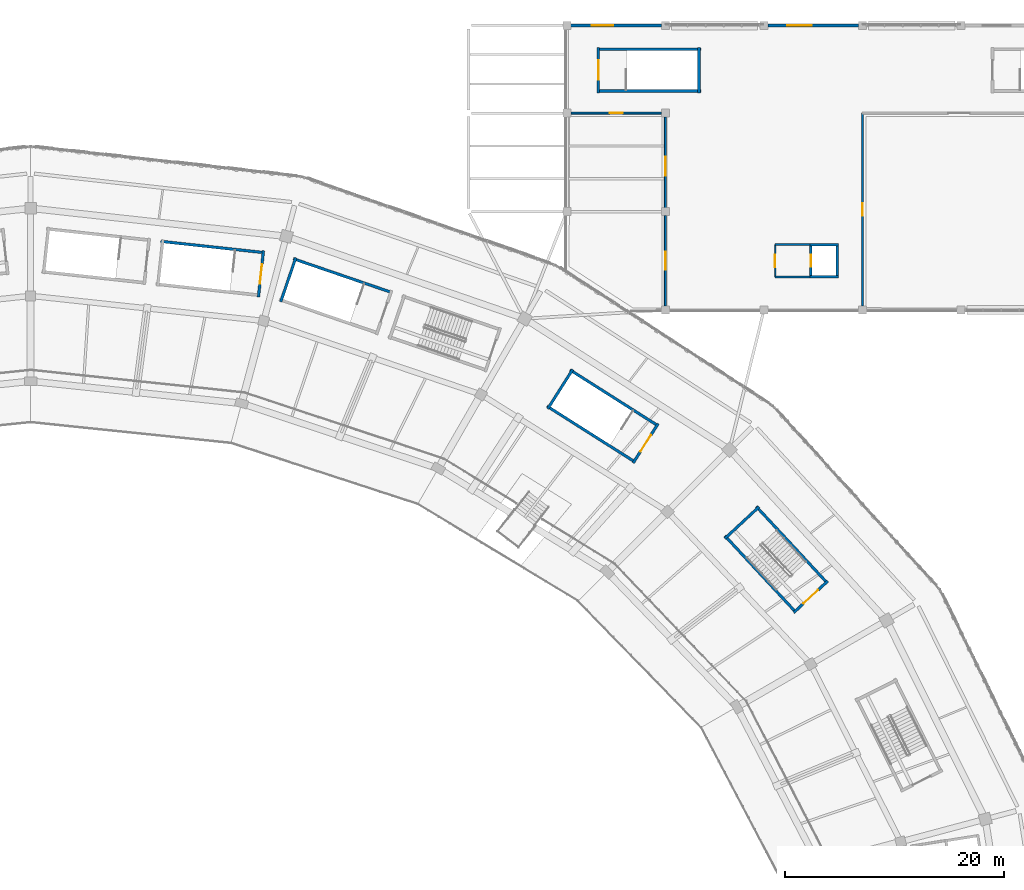
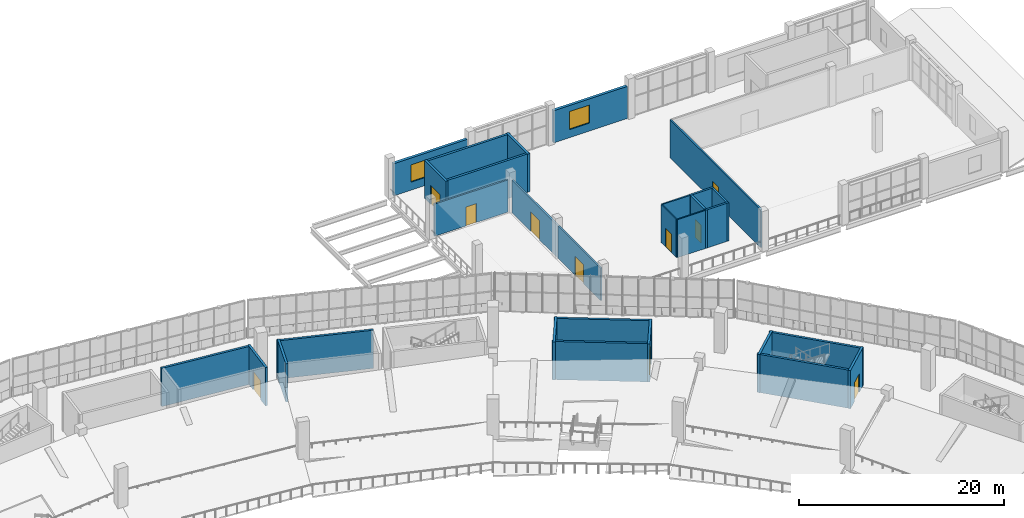
# One storey, part 101 of 152: 29 walls, 10 doors, 2 windows, 12 openings.
"""IFC4 building model written with IfcOpenShell, lengths in metres."""

from ifc_helpers import new_model, si_unit, direction, frame, frame_2d, origin, place, context, subcontext, project, spatial, rectangle, extrude, material, layer, layer_set, type_object, element, fill, save


model = new_model("IFC4")

# Units and contexts
model_context = context("Model", 3, precision=1e-05, world=origin(), true_north=direction((0.0, 1.0)))
body_context = subcontext(model_context, "Body", "Model", "MODEL_VIEW")
ifc_project = project(units=[si_unit("LENGTHUNIT", "METRE"), si_unit("AREAUNIT", "SQUARE_METRE"), si_unit("VOLUMEUNIT", "CUBIC_METRE"), si_unit("PLANEANGLEUNIT", "RADIAN"), si_unit("MASSUNIT", "GRAM", prefix="KILO")], contexts=[model_context])

# Site, building, storey
site_placement = place(None, origin())
site = spatial("IfcSite", under=ifc_project, at=site_placement, CompositionType="ELEMENT")
building_placement = place(site_placement, origin())
building = spatial("IfcBuilding", under=site, at=building_placement, Name="Zevraka Park Crest Stadium", CompositionType="ELEMENT")
storey_placement = place(building_placement, frame((0.0, 0.0, 15.0)))
storey = spatial("IfcBuildingStorey", under=building, at=storey_placement, Name="L03", CompositionType="ELEMENT", Elevation=15.0)

# Wall, opening, window
ifc_material_1 = material(Name="Limestone and red clay brick masonry", Category="masonry")
ifc_layer_1 = layer(ifc_material_1, 0.300048828125)
ifc_layer_set_1 = layer_set([ifc_layer_1], Name="Limestone and red clay brick masonry")
wall_type_1 = type_object("IfcWallType", Name="EW02", PredefinedType="STANDARD", material=ifc_layer_set_1)
wall_1_placement = place(storey_placement, frame((161.35009765625, 184.0, 0.0), z_axis=(0.0, 0.0, 1.0), x_axis=(1.0, 0.0, 0.0)))
wall_1 = element("IfcWall", 1, at=wall_1_placement, inside=storey, type_object=wall_type_1, Name="Wing External Cavity Wall EW02 L03-NGATE-N3-1", PredefinedType="STANDARD", context=body_context, shape_type="SweptSolid", body=[
    extrude(rectangle(XDim=8.2998046875, YDim=0.300048828125, at=frame_2d((4.14990234375, 0.0))), origin(), (0.0, 0.0, 1.0), 3.823486328125),
])
opening_1_placement = place(wall_1_placement, frame((1.929931640625, 0.0, 0.949951171875)))
opening_1 = element("IfcOpeningElement", 2, at=opening_1_placement, cuts=wall_1, Name="Opening WN10", PredefinedType="OPENING", context=body_context, shape_type="SweptSolid", body=[
    extrude(rectangle(XDim=1.949951171875, YDim=2.050048828125, at=frame_2d((0.97509765625, 1.02490234375))), frame((0.0, 0.159912109375, 0.0), z_axis=(0.0, -1.0, 0.0), x_axis=(1.0, 0.0, 0.0)), (0.0, 0.0, 1.0), 0.320068359375),
])
ifc_material_2 = material(Name="Solar-control laminated double glazing in aluminium frame", Category="aluminium")
window_type_1 = type_object("IfcWindowType", Name="WN10", PartitioningType="SINGLE_PANEL", PredefinedType="WINDOW", material=ifc_material_2)
window_1_placement = place(opening_1_placement, origin())
window_1 = element("IfcWindow", 3, at=window_1_placement, inside=storey, type_object=window_type_1, Name="Facade Casement Window WN10 W-L03-010", OverallHeight=2.050048828125, OverallWidth=1.949951171875, PartitioningType="SINGLE_PANEL", PredefinedType="WINDOW", context=body_context, shape_type="SweptSolid", body=[
    extrude(rectangle(XDim=1.949951171875, YDim=2.050048828125, at=frame_2d((0.97509765625, 1.02490234375))), frame((0.0, 0.030029296875, 0.0), z_axis=(0.0, -1.0, 0.0), x_axis=(1.0, 0.0, 0.0)), (0.0, 0.0, 1.0), 0.06005859375),
])
fill(opening_1, window_1)

wall_2_placement = place(storey_placement, frame((179.35009765625, 184.0, 0.0), z_axis=(0.0, 0.0, 1.0), x_axis=(1.0, 0.0, 0.0)))
wall_2 = element("IfcWall", 4, at=wall_2_placement, inside=storey, type_object=wall_type_1, Name="Wing External Cavity Wall EW02 L03-NGATE-N3-3", PredefinedType="STANDARD", context=body_context, shape_type="SweptSolid", body=[
    extrude(rectangle(XDim=8.2998046875, YDim=0.300048828125, at=frame_2d((4.14990234375, 0.0))), origin(), (0.0, 0.0, 1.0), 3.823486328125),
])
opening_2_placement = place(wall_2_placement, frame((1.780029296875, 0.0, 0.949951171875)))
opening_2 = element("IfcOpeningElement", 5, at=opening_2_placement, cuts=wall_2, Name="Opening WN11", PredefinedType="OPENING", context=body_context, shape_type="SweptSolid", body=[
    extrude(rectangle(XDim=2.25, YDim=2.14990234375, at=frame_2d((1.125, 1.074951171875))), frame((0.0, 0.159912109375, 0.0), z_axis=(0.0, -1.0, 0.0), x_axis=(1.0, 0.0, 0.0)), (0.0, 0.0, 1.0), 0.320068359375),
])
ifc_material_3 = material(Name="Solar-control laminated double glazing in aluminium frame", Category="aluminium")
window_type_2 = type_object("IfcWindowType", Name="WN11", PartitioningType="SINGLE_PANEL", PredefinedType="WINDOW", material=ifc_material_3)
window_2_placement = place(opening_2_placement, origin())
window_2 = element("IfcWindow", 6, at=window_2_placement, inside=storey, type_object=window_type_2, Name="Facade Casement Window WN11 W-L03-011", OverallHeight=2.14990234375, OverallWidth=2.25, PartitioningType="SINGLE_PANEL", PredefinedType="WINDOW", context=body_context, shape_type="SweptSolid", body=[
    extrude(rectangle(XDim=2.25, YDim=2.14990234375, at=frame_2d((1.125, 1.074951171875))), frame((0.0, 0.030029296875, 0.0), z_axis=(0.0, -1.0, 0.0), x_axis=(1.0, 0.0, 0.0)), (0.0, 0.0, 1.0), 0.06005859375),
])
fill(opening_2, window_2)

# Walls
ifc_material_4 = material(Name="Fire-rated twin-stud acoustic drywall", Category="other")
ifc_layer_2 = layer(ifc_material_4, 0.159912109375)
ifc_layer_set_2 = layer_set([ifc_layer_2], Name="Fire-rated twin-stud acoustic drywall")
wall_type_2 = type_object("IfcWallType", Name="IW02", PredefinedType="PARTITIONING", material=ifc_layer_set_2)
for number, where, z_axis, x_axis, name in (
    (7, (183.199951171875, 163.989990234375, 0.0), (0.0, 0.0, 1.0), (-1.0, 0.0, 0.0), "Passenger Lift Lobby Wall IW02 PL04 L03 LEFT"),
    (8, (183.199951171875, 161.010009765625, 0.0), (0.0, 0.0, 1.0), (-1.0, 0.0, 0.0), "Passenger Lift Lobby Wall IW02 PL04 L03 RIGHT"),
):
    element("IfcWall", number, at=place(storey_placement, frame(where, z_axis=z_axis, x_axis=x_axis)), inside=storey, type_object=wall_type_2, Name=name, PredefinedType="PARTITIONING", context=body_context, shape_type="SweptSolid", body=[
        extrude(rectangle(XDim=3.169921875, YDim=0.159912109375, at=frame_2d((1.5849609375, 0.0))), origin(), (0.0, 0.0, 1.0), 4.52001953125),
    ])

# Wall, opening, door
wall_3_placement = place(storey_placement, frame((180.030029296875, 163.989990234375, 0.0), z_axis=(0.0, 0.0, 1.0), x_axis=(0.0, -1.0, 0.0)))
wall_3 = element("IfcWall", 9, at=wall_3_placement, inside=storey, type_object=wall_type_2, Name="Passenger Lift Lobby Wall IW02 PL04 L03 FRONT", PredefinedType="PARTITIONING", context=body_context, shape_type="SweptSolid", body=[
    extrude(rectangle(XDim=2.97998046875, YDim=0.159912109375, at=frame_2d((1.489990234375, 0.0))), origin(), (0.0, 0.0, 1.0), 4.52001953125),
])
opening_3_placement = place(wall_3_placement, frame((0.9150390625, 0.0, 0.0)))
opening_3 = element("IfcOpeningElement", 10, at=opening_3_placement, cuts=wall_3, Name="Opening D-L03-328", PredefinedType="OPENING", context=body_context, shape_type="SweptSolid", body=[
    extrude(rectangle(XDim=1.14990234375, YDim=2.199951171875, at=frame_2d((0.574951171875, 1.10009765625))), frame((0.0, 0.08984375, 0.0), z_axis=(0.0, -1.0, 0.0), x_axis=(1.0, 0.0, 0.0)), (0.0, 0.0, 1.0), 0.179931640625),
])
ifc_material_5 = material(Name="Solid-core hardwood timber leaf in steel frame", Category="steel")
door_type_1 = type_object("IfcDoorType", Name="DR03", OperationType="NOTDEFINED", PredefinedType="DOOR", material=ifc_material_5)
door_1_placement = place(opening_3_placement, origin())
door_1 = element("IfcDoor", 11, at=door_1_placement, inside=storey, type_object=door_type_1, Name="Passenger Lift Lobby PL04 Door D-L03-328", OperationType="SINGLE_SWING_RIGHT", OverallHeight=2.199951171875, OverallWidth=1.14990234375, PredefinedType="DOOR", context=body_context, shape_type="SweptSolid", body=[
    extrude(rectangle(XDim=1.14990234375, YDim=2.199951171875, at=frame_2d((0.574951171875, 1.10009765625))), frame((0.0, 0.02490234375, 0.0), z_axis=(0.0, -1.0, 0.0), x_axis=(1.0, 0.0, 0.0)), (0.0, 0.0, 1.0), 0.050048828125),
])
fill(opening_3, door_1)

ifc_material_6 = material(Name="Fire-rated twin-stud acoustic drywall", Category="other")
ifc_layer_3 = layer(ifc_material_6, 0.179931640625)
ifc_layer_set_3 = layer_set([ifc_layer_3], Name="Fire-rated twin-stud acoustic drywall")
wall_type_3 = type_object("IfcWallType", Name="IW06", PredefinedType="PARTITIONING", material=ifc_layer_set_3)
wall_4_placement = place(storey_placement, frame((161.360107421875, 176.0, 0.0), z_axis=(0.0, 0.0, 1.0), x_axis=(1.0, 0.0, 0.0)))
wall_4 = element("IfcWall", 12, at=wall_4_placement, inside=storey, type_object=wall_type_3, Name="Interior Partition IW06 North Gate Upper Supporters Terrace Lounge L03", PredefinedType="PARTITIONING", context=body_context, shape_type="SweptSolid", body=[
    extrude(rectangle(XDim=8.27978515625, YDim=0.179931640625, at=frame_2d((4.139892578125, 0.0))), origin(), (0.0, 0.0, 1.0), 3.823486328125),
])
opening_4_placement = place(wall_4_placement, frame((3.550048828125, 0.0, 0.0)))
opening_4 = element("IfcOpeningElement", 13, at=opening_4_placement, cuts=wall_4, Name="Opening D-L03-448", PredefinedType="OPENING", context=body_context, shape_type="SweptSolid", body=[
    extrude(rectangle(XDim=1.179931640625, YDim=2.25, at=frame_2d((0.58984375, 1.125))), frame((0.0, 0.099853515625, 0.0), z_axis=(0.0, -1.0, 0.0), x_axis=(1.0, 0.0, 0.0)), (0.0, 0.0, 1.0), 0.199951171875),
])
ifc_material_7 = material(Name="Solid-core hardwood timber leaf in steel frame", Category="steel")
door_type_2 = type_object("IfcDoorType", Name="DR24", OperationType="NOTDEFINED", PredefinedType="DOOR", material=ifc_material_7)
door_2_placement = place(opening_4_placement, origin())
door_2 = element("IfcDoor", 14, at=door_2_placement, inside=storey, type_object=door_type_2, Name="North Gate Upper Supporters Terrace Lounge Door D-L03-448", OperationType="SINGLE_SWING_RIGHT", OverallHeight=2.25, OverallWidth=1.179931640625, PredefinedType="DOOR", context=body_context, shape_type="SweptSolid", body=[
    extrude(rectangle(XDim=1.179931640625, YDim=2.25, at=frame_2d((0.58984375, 1.125))), frame((0.0, 0.02490234375, 0.0), z_axis=(0.0, -1.0, 0.0), x_axis=(1.0, 0.0, 0.0)), (0.0, 0.0, 1.0), 0.050048828125),
])
fill(opening_4, door_2)

wall_5_placement = place(storey_placement, frame((170.0, 158.360107421875, 0.0), z_axis=(0.0, 0.0, 1.0), x_axis=(0.0, 1.0, 0.0)))
wall_5 = element("IfcWall", 15, at=wall_5_placement, inside=storey, type_object=wall_type_3, Name="Interior Partition IW06 North Gate Upper Supporters Terrace Lounge L03", PredefinedType="PARTITIONING", context=body_context, shape_type="SweptSolid", body=[
    extrude(rectangle(XDim=8.27978515625, YDim=0.179931640625, at=frame_2d((4.139892578125, 0.0))), origin(), (0.0, 0.0, 1.0), 3.85693359375),
])
opening_5_placement = place(wall_5_placement, frame((3.31494140625, 0.0, 0.0)))
opening_5 = element("IfcOpeningElement", 16, at=opening_5_placement, cuts=wall_5, Name="Opening D-L03-449", PredefinedType="OPENING", context=body_context, shape_type="SweptSolid", body=[
    extrude(rectangle(XDim=1.64990234375, YDim=2.25, at=frame_2d((0.824951171875, 1.125))), frame((0.0, 0.099853515625, 0.0), z_axis=(0.0, -1.0, 0.0), x_axis=(1.0, 0.0, 0.0)), (0.0, 0.0, 1.0), 0.199951171875),
])
ifc_material_8 = material(Name="Solid-core hardwood timber leaf in steel frame", Category="steel")
door_type_3 = type_object("IfcDoorType", Name="DR26", OperationType="NOTDEFINED", PredefinedType="DOOR", material=ifc_material_8)
door_3_placement = place(opening_5_placement, origin())
door_3 = element("IfcDoor", 17, at=door_3_placement, inside=storey, type_object=door_type_3, Name="North Gate Upper Supporters Terrace Lounge Door D-L03-449", OperationType="DOUBLE_DOOR_SINGLE_SWING", OverallHeight=2.25, OverallWidth=1.64990234375, PredefinedType="DOOR", context=body_context, shape_type="SweptSolid", body=[
    extrude(rectangle(XDim=1.64990234375, YDim=2.25, at=frame_2d((0.824951171875, 1.125))), frame((0.0, 0.02490234375, 0.0), z_axis=(0.0, -1.0, 0.0), x_axis=(1.0, 0.0, 0.0)), (0.0, 0.0, 1.0), 0.050048828125),
])
fill(opening_5, door_3)

wall_6_placement = place(storey_placement, frame((170.0, 166.625, 0.0), z_axis=(0.0, 0.0, 1.0), x_axis=(0.0, 1.0, 0.0)))
wall_6 = element("IfcWall", 18, at=wall_6_placement, inside=storey, type_object=wall_type_3, Name="Interior Partition IW06 North Gate Upper Supporters Terrace Lounge L03", PredefinedType="PARTITIONING", context=body_context, shape_type="SweptSolid", body=[
    extrude(rectangle(XDim=9.014892578125, YDim=0.179931640625, at=frame_2d((4.50732421875, 0.0))), origin(), (0.0, 0.0, 1.0), 3.85693359375),
])
opening_6_placement = place(wall_6_placement, frame((3.632080078125, 0.0, 0.0)))
opening_6 = element("IfcOpeningElement", 19, at=opening_6_placement, cuts=wall_6, Name="Opening D-L03-450", PredefinedType="OPENING", context=body_context, shape_type="SweptSolid", body=[
    extrude(rectangle(XDim=1.75, YDim=2.300048828125, at=frame_2d((0.875, 1.14990234375))), frame((0.0, 0.099853515625, 0.0), z_axis=(0.0, -1.0, 0.0), x_axis=(1.0, 0.0, 0.0)), (0.0, 0.0, 1.0), 0.199951171875),
])
ifc_material_9 = material(Name="Solid-core hardwood timber leaf in steel frame", Category="steel")
door_type_4 = type_object("IfcDoorType", Name="DR27", OperationType="NOTDEFINED", PredefinedType="DOOR", material=ifc_material_9)
door_4_placement = place(opening_6_placement, origin())
door_4 = element("IfcDoor", 20, at=door_4_placement, inside=storey, type_object=door_type_4, Name="North Gate Upper Supporters Terrace Lounge Door D-L03-450", OperationType="DOUBLE_DOOR_SINGLE_SWING", OverallHeight=2.300048828125, OverallWidth=1.75, PredefinedType="DOOR", context=body_context, shape_type="SweptSolid", body=[
    extrude(rectangle(XDim=1.75, YDim=2.300048828125, at=frame_2d((0.875, 1.14990234375))), frame((0.0, 0.02490234375, 0.0), z_axis=(0.0, -1.0, 0.0), x_axis=(1.0, 0.0, 0.0)), (0.0, 0.0, 1.0), 0.050048828125),
])
fill(opening_6, door_4)

wall_7_placement = place(storey_placement, frame((188.0, 158.360107421875, 0.0), z_axis=(0.0, 0.0, 1.0), x_axis=(0.0, 1.0, 0.0)))
wall_7 = element("IfcWall", 21, at=wall_7_placement, inside=storey, type_object=wall_type_3, Name="Interior Partition IW06 North Gate Upper Supporters Terrace Lounge L03", PredefinedType="PARTITIONING", context=body_context, shape_type="SweptSolid", body=[
    extrude(rectangle(XDim=17.639892578125, YDim=0.179931640625, at=frame_2d((8.81982421875, 0.0))), origin(), (0.0, 0.0, 1.0), 4.52001953125),
])
opening_7_placement = place(wall_7_placement, frame((8.2451171875, 0.0, 0.0)))
opening_7 = element("IfcOpeningElement", 22, at=opening_7_placement, cuts=wall_7, Name="Opening D-L03-453", PredefinedType="OPENING", context=body_context, shape_type="SweptSolid", body=[
    extrude(rectangle(XDim=1.14990234375, YDim=2.199951171875, at=frame_2d((0.574951171875, 1.10009765625))), frame((0.0, 0.099853515625, 0.0), z_axis=(0.0, -1.0, 0.0), x_axis=(1.0, 0.0, 0.0)), (0.0, 0.0, 1.0), 0.199951171875),
])
door_5_placement = place(opening_7_placement, origin())
door_5 = element("IfcDoor", 23, at=door_5_placement, inside=storey, type_object=door_type_1, Name="North Gate Upper Supporters Terrace Lounge Door D-L03-453", OperationType="SINGLE_SWING_RIGHT", OverallHeight=2.199951171875, OverallWidth=1.14990234375, PredefinedType="DOOR", context=body_context, shape_type="SweptSolid", body=[
    extrude(rectangle(XDim=1.14990234375, YDim=2.199951171875, at=frame_2d((0.574951171875, 1.10009765625))), frame((0.0, 0.02490234375, 0.0), z_axis=(0.0, -1.0, 0.0), x_axis=(1.0, 0.0, 0.0)), (0.0, 0.0, 1.0), 0.050048828125),
])
fill(opening_7, door_5)

# Walls
ifc_material_10 = material(Name="Concrete C40/50", Category="concrete")
ifc_layer_4 = layer(ifc_material_10, 0.25)
ifc_layer_set_4 = layer_set([ifc_layer_4], Name="Concrete C40/50")
wall_type_4 = type_object("IfcWallType", Name="SW01", PredefinedType="SHEAR", material=ifc_layer_set_4)
for number, where, z_axis, x_axis, name in (
    (24, (184.8017578125, 133.047119140625, 0.0), (0.0, 0.0, 1.0), (-0.680258890476, 0.732971924379, 0.0), "Stair Core Shear Wall SW01 ST03 L03 left"),
    (25, (175.431884765625, 137.38037109375, 0.0), (0.0, 0.0, 1.0), (0.680271637111, -0.732960094236, 0.0), "Stair Core Shear Wall SW01 ST03 L03 right"),
):
    element("IfcWall", number, at=place(storey_placement, frame(where, z_axis=z_axis, x_axis=x_axis)), inside=storey, type_object=wall_type_4, Name=name, PredefinedType="SHEAR", context=body_context, shape_type="SweptSolid", body=[
        extrude(rectangle(XDim=9.550048828125, YDim=0.25, at=frame_2d((4.77490234375, 0.0))), origin(), (0.0, 0.0, 1.0), 4.5400390625),
    ])

# Wall, opening, door
wall_8_placement = place(storey_placement, frame((181.71875, 130.3564453125, 0.0), z_axis=(0.0, 0.0, 1.0), x_axis=(0.732977166505, 0.680253242096, 0.0)))
wall_8 = element("IfcWall", 26, at=wall_8_placement, inside=storey, type_object=wall_type_4, Name="Stair Core Shear Wall SW01 ST03 L03 near", PredefinedType="SHEAR", context=body_context, shape_type="SweptSolid", body=[
    extrude(rectangle(XDim=4.260009765625, YDim=0.25, at=frame_2d((2.1298828125, 0.0))), origin(), (0.0, 0.0, 1.0), 4.5400390625),
])
opening_8_placement = place(wall_8_placement, frame((1.22998046875, 0.0, 0.0)))
opening_8 = element("IfcOpeningElement", 27, at=opening_8_placement, cuts=wall_8, Name="Opening D-L03-019", PredefinedType="OPENING", context=body_context, shape_type="SweptSolid", body=[
    extrude(rectangle(XDim=1.800048828125, YDim=2.25, at=frame_2d((0.89990234375, 1.125))), frame((0.0, 0.135009765625, 0.0), z_axis=(0.0, -1.0, 0.0), x_axis=(1.0, 0.0, 0.0)), (0.0, 0.0, 1.0), 0.27001953125),
])
ifc_material_11 = material(Name="Solid-core hardwood timber leaf in steel frame", Category="steel")
door_type_5 = type_object("IfcDoorType", Name="DR04", OperationType="NOTDEFINED", PredefinedType="DOOR", material=ifc_material_11)
door_6_placement = place(opening_8_placement, origin())
door_6 = element("IfcDoor", 28, at=door_6_placement, inside=storey, type_object=door_type_5, Name="Protected Stair Entry Door ST03 L03", OperationType="DOUBLE_DOOR_SINGLE_SWING", OverallHeight=2.25, OverallWidth=1.800048828125, PredefinedType="DOOR", context=body_context, shape_type="SweptSolid", body=[
    extrude(rectangle(XDim=1.800048828125, YDim=2.25, at=frame_2d((0.89990234375, 1.125))), frame((0.0, 0.02490234375, 0.0), z_axis=(0.0, -1.0, 0.0), x_axis=(1.0, 0.0, 0.0)), (0.0, 0.0, 1.0), 0.050048828125),
])
fill(opening_8, door_6)

# Walls
wall_9_placement = place(storey_placement, frame((178.5556640625, 140.027099609375, 0.0), z_axis=(0.0, 0.0, 1.0), x_axis=(-0.73295064559, -0.680281817433, 0.0)))
element("IfcWall", 29, at=wall_9_placement, inside=storey, type_object=wall_type_4, Name="Stair Core Shear Wall SW01 ST03 L03 far", PredefinedType="SHEAR", context=body_context, shape_type="SweptSolid", body=[
    extrude(rectangle(XDim=4.260009765625, YDim=0.25, at=frame_2d((2.1298828125, 0.0))), origin(), (0.0, 0.0, 1.0), 4.5400390625),
])
for number, where, z_axis, x_axis, name in (
    (30, (169.349853515625, 147.41455078125, 0.0), (0.0, 0.0, 1.0), (-0.844391246241, 0.535727004427, 0.0), "Stair Core Shear Wall SW01 ST04 L03 left"),
    (31, (159.18603515625, 149.220703125, 0.0), (0.0, 0.0, 1.0), (0.844391246241, -0.535727004427, 0.0), "Stair Core Shear Wall SW01 ST04 L03 right"),
):
    element("IfcWall", number, at=place(storey_placement, frame(where, z_axis=z_axis, x_axis=x_axis)), inside=storey, type_object=wall_type_4, Name=name, PredefinedType="SHEAR", context=body_context, shape_type="SweptSolid", body=[
        extrude(rectangle(XDim=9.550048828125, YDim=0.25, at=frame_2d((4.77490234375, 0.0))), origin(), (0.0, 0.0, 1.0), 4.5400390625),
    ])

# Wall, opening, door
wall_10_placement = place(storey_placement, frame((167.05322265625, 144.028076171875, 0.0), z_axis=(0.0, 0.0, 1.0), x_axis=(0.53572544074, 0.844392238325, 0.0)))
wall_10 = element("IfcWall", 32, at=wall_10_placement, inside=storey, type_object=wall_type_4, Name="Stair Core Shear Wall SW01 ST04 L03 near", PredefinedType="SHEAR", context=body_context, shape_type="SweptSolid", body=[
    extrude(rectangle(XDim=4.260009765625, YDim=0.25, at=frame_2d((2.1298828125, 0.0))), origin(), (0.0, 0.0, 1.0), 4.5400390625),
])
opening_9_placement = place(wall_10_placement, frame((1.22998046875, 0.0, 0.0)))
opening_9 = element("IfcOpeningElement", 33, at=opening_9_placement, cuts=wall_10, Name="Opening D-L03-025", PredefinedType="OPENING", context=body_context, shape_type="SweptSolid", body=[
    extrude(rectangle(XDim=1.800048828125, YDim=2.25, at=frame_2d((0.89990234375, 1.125))), frame((0.0, 0.135009765625, 0.0), z_axis=(0.0, -1.0, 0.0), x_axis=(1.0, 0.0, 0.0)), (0.0, 0.0, 1.0), 0.27001953125),
])
door_7_placement = place(opening_9_placement, origin())
door_7 = element("IfcDoor", 34, at=door_7_placement, inside=storey, type_object=door_type_5, Name="Protected Stair Entry Door ST04 L03", OperationType="DOUBLE_DOOR_SINGLE_SWING", OverallHeight=2.25, OverallWidth=1.800048828125, PredefinedType="DOOR", context=body_context, shape_type="SweptSolid", body=[
    extrude(rectangle(XDim=1.800048828125, YDim=2.25, at=frame_2d((0.89990234375, 1.125))), frame((0.0, 0.02490234375, 0.0), z_axis=(0.0, -1.0, 0.0), x_axis=(1.0, 0.0, 0.0)), (0.0, 0.0, 1.0), 0.050048828125),
])
fill(opening_9, door_7)

# Walls
wall_11_placement = place(storey_placement, frame((161.533203125, 152.5751953125, 0.0), z_axis=(0.0, 0.0, 1.0), x_axis=(-0.53572544074, -0.844392238325, 0.0)))
element("IfcWall", 35, at=wall_11_placement, inside=storey, type_object=wall_type_4, Name="Stair Core Shear Wall SW01 ST04 L03 far", PredefinedType="SHEAR", context=body_context, shape_type="SweptSolid", body=[
    extrude(rectangle(XDim=4.260009765625, YDim=0.25, at=frame_2d((2.1298828125, 0.0))), origin(), (0.0, 0.0, 1.0), 4.5400390625),
])
wall_12_placement = place(storey_placement, frame((133.38525390625, 163.243408203125, 0.0), z_axis=(0.0, 0.0, 1.0), x_axis=(-0.994127555169, 0.108214620337, 0.0)))
element("IfcWall", 36, at=wall_12_placement, inside=storey, type_object=wall_type_4, Name="Stair Core Shear Wall SW01 ST06 L03 left", PredefinedType="SHEAR", context=body_context, shape_type="SweptSolid", body=[
    extrude(rectangle(XDim=9.550048828125, YDim=0.25, at=frame_2d((4.77490234375, 0.0))), origin(), (0.0, 0.0, 1.0), 4.5400390625),
])

# Wall, opening, door
wall_13_placement = place(storey_placement, frame((132.818359375, 159.19091796875, 0.0), z_axis=(0.0, 0.0, 1.0), x_axis=(0.108198315262, 0.994129329903, 0.0)))
wall_13 = element("IfcWall", 37, at=wall_13_placement, inside=storey, type_object=wall_type_4, Name="Stair Core Shear Wall SW01 ST06 L03 near", PredefinedType="SHEAR", context=body_context, shape_type="SweptSolid", body=[
    extrude(rectangle(XDim=4.260009765625, YDim=0.25, at=frame_2d((2.1298828125, 0.0))), origin(), (0.0, 0.0, 1.0), 4.5400390625),
])
opening_10_placement = place(wall_13_placement, frame((1.22998046875, 0.0, 0.0)))
opening_10 = element("IfcOpeningElement", 38, at=opening_10_placement, cuts=wall_13, Name="Opening D-L03-036", PredefinedType="OPENING", context=body_context, shape_type="SweptSolid", body=[
    extrude(rectangle(XDim=1.800048828125, YDim=2.25, at=frame_2d((0.89990234375, 1.125))), frame((0.0, 0.135009765625, 0.0), z_axis=(0.0, -1.0, 0.0), x_axis=(1.0, 0.0, 0.0)), (0.0, 0.0, 1.0), 0.27001953125),
])
door_8_placement = place(opening_10_placement, origin())
door_8 = element("IfcDoor", 39, at=door_8_placement, inside=storey, type_object=door_type_5, Name="Protected Stair Entry Door ST06 L03", OperationType="DOUBLE_DOOR_SINGLE_SWING", OverallHeight=2.25, OverallWidth=1.800048828125, PredefinedType="DOOR", context=body_context, shape_type="SweptSolid", body=[
    extrude(rectangle(XDim=1.800048828125, YDim=2.25, at=frame_2d((0.89990234375, 1.125))), frame((0.0, 0.02490234375, 0.0), z_axis=(0.0, -1.0, 0.0), x_axis=(1.0, 0.0, 0.0)), (0.0, 0.0, 1.0), 0.050048828125),
])
fill(opening_10, door_8)

# Walls
wall_14_placement = place(storey_placement, frame((145.04248046875, 159.591796875, 0.0), z_axis=(0.0, 0.0, 1.0), x_axis=(-0.946072259645, 0.323955675256, 0.0)))
element("IfcWall", 40, at=wall_14_placement, inside=storey, type_object=wall_type_4, Name="Stair Core Shear Wall SW01 ST25 L03 left", PredefinedType="SHEAR", context=body_context, shape_type="SweptSolid", body=[
    extrude(rectangle(XDim=9.5498046875, YDim=0.25, at=frame_2d((4.77490234375, 0.0))), origin(), (0.0, 0.0, 1.0), 4.5400390625),
])
wall_15_placement = place(storey_placement, frame((136.237548828125, 162.78662109375, 0.0), z_axis=(0.0, 0.0, 1.0), x_axis=(-0.323971192516, -0.946066946056, 0.0)))
element("IfcWall", 41, at=wall_15_placement, inside=storey, type_object=wall_type_4, Name="Stair Core Shear Wall SW01 ST25 L03 far", PredefinedType="SHEAR", context=body_context, shape_type="SweptSolid", body=[
    extrude(rectangle(XDim=4.260009765625, YDim=0.25, at=frame_2d((2.1298828125, 0.0))), origin(), (0.0, 0.0, 1.0), 4.5400390625),
])
for number, where, z_axis, x_axis, name in (
    (42, (163.75, 178.010009765625, 0.0), (0.0, 0.0, 1.0), (1.0, 0.0, 0.0), "Stair Core Shear Wall SW01 ST46 L03 left"),
    (43, (173.25, 181.830078125, 0.0), (0.0, 0.0, 1.0), (-1.0, 0.0, 0.0), "Stair Core Shear Wall SW01 ST46 L03 right"),
):
    element("IfcWall", number, at=place(storey_placement, frame(where, z_axis=z_axis, x_axis=x_axis)), inside=storey, type_object=wall_type_4, Name=name, PredefinedType="SHEAR", context=body_context, shape_type="SweptSolid", body=[
        extrude(rectangle(XDim=9.5, YDim=0.25, at=frame_2d((4.75, 0.0))), origin(), (0.0, 0.0, 1.0), 4.5400390625),
    ])

# Wall, opening, door
wall_16_placement = place(storey_placement, frame((163.875, 182.0, 0.0), z_axis=(0.0, 0.0, 1.0), x_axis=(0.0, -1.0, 0.0)))
wall_16 = element("IfcWall", 44, at=wall_16_placement, inside=storey, type_object=wall_type_4, Name="Stair Core Shear Wall SW01 ST46 L03 near", PredefinedType="SHEAR", context=body_context, shape_type="SweptSolid", body=[
    extrude(rectangle(XDim=4.159912109375, YDim=0.25, at=frame_2d((2.080078125, 0.0))), origin(), (0.0, 0.0, 1.0), 4.5400390625),
])
opening_11_placement = place(wall_16_placement, frame((1.179931640625, 0.0, 0.0)))
opening_11 = element("IfcOpeningElement", 45, at=opening_11_placement, cuts=wall_16, Name="Opening D-L03-242", PredefinedType="OPENING", context=body_context, shape_type="SweptSolid", body=[
    extrude(rectangle(XDim=1.800048828125, YDim=2.25, at=frame_2d((0.89990234375, 1.125))), frame((0.0, 0.135009765625, 0.0), z_axis=(0.0, -1.0, 0.0), x_axis=(1.0, 0.0, 0.0)), (0.0, 0.0, 1.0), 0.27001953125),
])
door_9_placement = place(opening_11_placement, origin())
door_9 = element("IfcDoor", 46, at=door_9_placement, inside=storey, type_object=door_type_5, Name="Protected Stair Entry Door ST46 L03", OperationType="DOUBLE_DOOR_SINGLE_SWING", OverallHeight=2.25, OverallWidth=1.800048828125, PredefinedType="DOOR", context=body_context, shape_type="SweptSolid", body=[
    extrude(rectangle(XDim=1.800048828125, YDim=2.25, at=frame_2d((0.89990234375, 1.125))), frame((0.0, 0.02490234375, 0.0), z_axis=(0.0, -1.0, 0.0), x_axis=(1.0, 0.0, 0.0)), (0.0, 0.0, 1.0), 0.050048828125),
])
fill(opening_11, door_9)

# Walls
wall_17_placement = place(storey_placement, frame((173.06494140625, 177.840087890625, 0.0), z_axis=(0.0, 0.0, 1.0), x_axis=(0.0, 1.0, 0.0)))
element("IfcWall", 47, at=wall_17_placement, inside=storey, type_object=wall_type_4, Name="Stair Core Shear Wall SW01 ST46 L03 far", PredefinedType="SHEAR", context=body_context, shape_type="SweptSolid", body=[
    extrude(rectangle(XDim=4.159912109375, YDim=0.25, at=frame_2d((2.080078125, 0.0))), origin(), (0.0, 0.0, 1.0), 4.5400390625),
])
ifc_material_12 = material(Name="Concrete C40/50", Category="concrete")
ifc_layer_5 = layer(ifc_material_12, 0.219970703125)
ifc_layer_set_5 = layer_set([ifc_layer_5], Name="Concrete C40/50")
wall_type_5 = type_object("IfcWallType", Name="SW02", PredefinedType="SHEAR", material=ifc_layer_set_5)
wall_18_placement = place(storey_placement, frame((183.179931640625, 161.0400390625, 0.0), z_axis=(0.0, 0.0, 1.0), x_axis=(1.0, 0.0, 0.0)))
element("IfcWall", 48, at=wall_18_placement, inside=storey, type_object=wall_type_5, Name="Lift Shaft Shear Wall SW02 PL04 L03-1", PredefinedType="SHEAR", context=body_context, shape_type="SweptSolid", body=[
    extrude(rectangle(XDim=2.64013671875, YDim=0.219970703125, at=frame_2d((1.320068359375, 0.0))), origin(), (0.0, 0.0, 1.0), 4.5400390625),
])
wall_19_placement = place(storey_placement, frame((185.7099609375, 160.929931640625, 0.0), z_axis=(0.0, 0.0, 1.0), x_axis=(0.0, 1.0, 0.0)))
element("IfcWall", 49, at=wall_19_placement, inside=storey, type_object=wall_type_5, Name="Lift Shaft Shear Wall SW02 PL04 L03-2", PredefinedType="SHEAR", context=body_context, shape_type="SweptSolid", body=[
    extrude(rectangle(XDim=3.14013671875, YDim=0.219970703125, at=frame_2d((1.570068359375, 0.0))), origin(), (0.0, 0.0, 1.0), 4.5400390625),
])
wall_20_placement = place(storey_placement, frame((185.820068359375, 163.9599609375, 0.0), z_axis=(0.0, 0.0, 1.0), x_axis=(-1.0, 0.0, 0.0)))
element("IfcWall", 50, at=wall_20_placement, inside=storey, type_object=wall_type_5, Name="Lift Shaft Shear Wall SW02 PL04 L03-3", PredefinedType="SHEAR", context=body_context, shape_type="SweptSolid", body=[
    extrude(rectangle(XDim=2.64013671875, YDim=0.219970703125, at=frame_2d((1.320068359375, 0.0))), origin(), (0.0, 0.0, 1.0), 4.5400390625),
])

# Wall, opening, door
wall_21_placement = place(storey_placement, frame((183.2900390625, 164.070068359375, 0.0), z_axis=(0.0, 0.0, 1.0), x_axis=(0.0, -1.0, 0.0)))
wall_21 = element("IfcWall", 51, at=wall_21_placement, inside=storey, type_object=wall_type_5, Name="Lift Shaft Shear Wall SW02 PL04 L03-4", PredefinedType="SHEAR", context=body_context, shape_type="SweptSolid", body=[
    extrude(rectangle(XDim=3.14013671875, YDim=0.219970703125, at=frame_2d((1.570068359375, 0.0))), origin(), (0.0, 0.0, 1.0), 4.5400390625),
])
opening_12_placement = place(wall_21_placement, frame((1.02001953125, 0.0, 0.0)))
opening_12 = element("IfcOpeningElement", 52, at=opening_12_placement, cuts=wall_21, Name="Opening LD-PL04-L03", PredefinedType="OPENING", context=body_context, shape_type="SweptSolid", body=[
    extrude(rectangle(XDim=1.10009765625, YDim=2.14990234375, at=frame_2d((0.550048828125, 1.074951171875))), frame((0.0, 0.119873046875, 0.0), z_axis=(0.0, -1.0, 0.0), x_axis=(1.0, 0.0, 0.0)), (0.0, 0.0, 1.0), 0.239990234375),
])
ifc_material_13 = material(Name="Brushed stainless steel lift landing doors", Category="steel")
door_type_6 = type_object("IfcDoorType", Name="LD02", OperationType="NOTDEFINED", PredefinedType="DOOR", material=ifc_material_13)
door_10_placement = place(opening_12_placement, origin())
door_10 = element("IfcDoor", 53, at=door_10_placement, inside=storey, type_object=door_type_6, Name="Lift Sliding Landing Door LD-PL04-L03", OperationType="SLIDING_TO_LEFT", OverallHeight=2.14990234375, OverallWidth=1.10009765625, PredefinedType="DOOR", context=body_context, shape_type="SweptSolid", body=[
    extrude(rectangle(XDim=1.10009765625, YDim=2.14990234375, at=frame_2d((0.550048828125, 1.074951171875))), frame((0.0, 0.02490234375, 0.0), z_axis=(0.0, -1.0, 0.0), x_axis=(1.0, 0.0, 0.0)), (0.0, 0.0, 1.0), 0.050048828125),
])
fill(opening_12, door_10)

save(model, "model.ifc")
